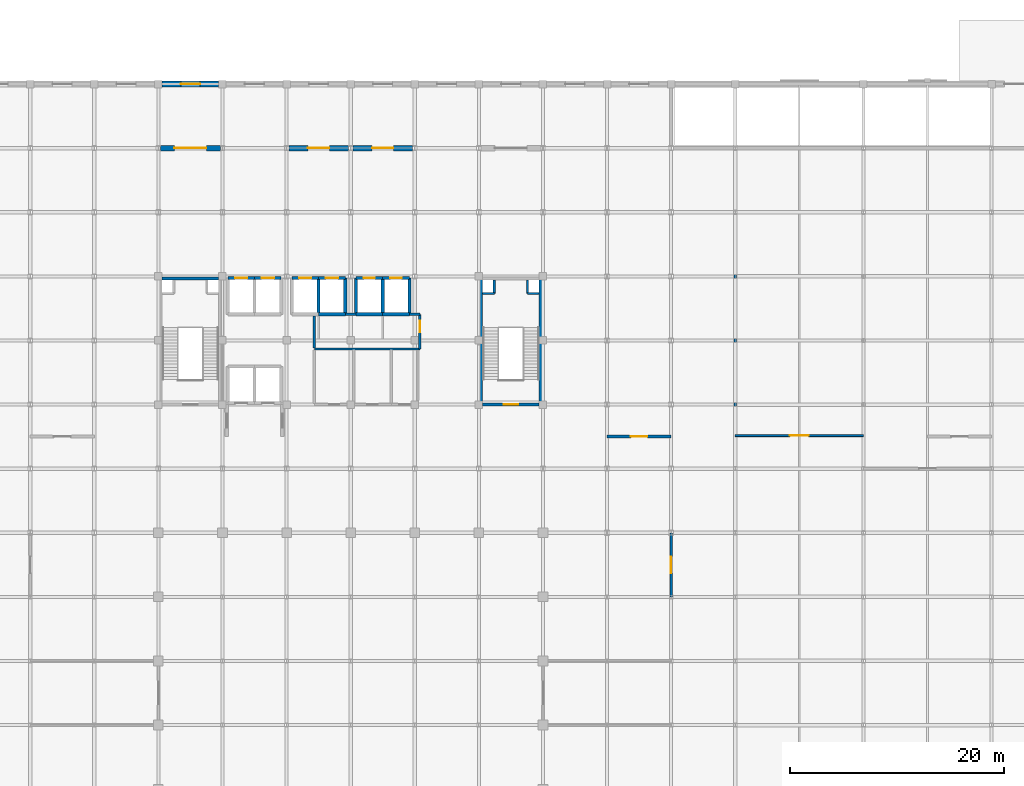
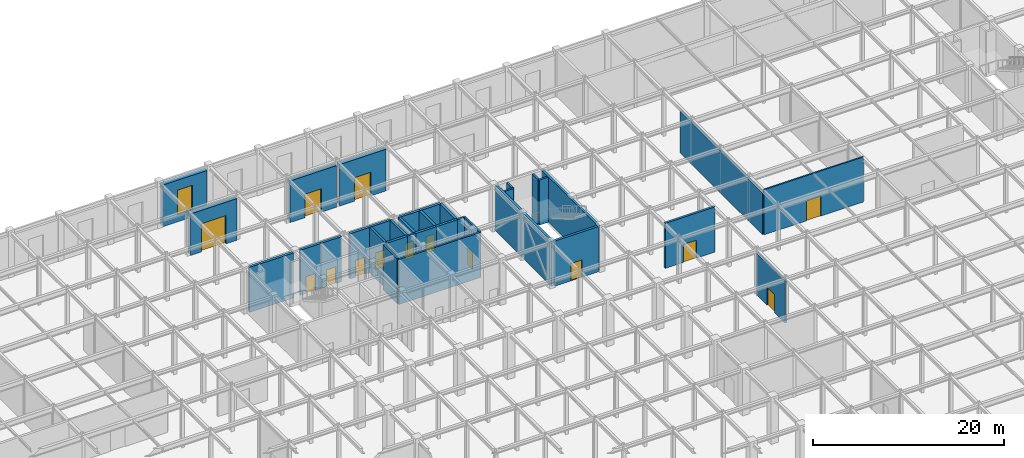
# One storey, part 45 of 51: 35 walls, 14 doors, 1 window, 15 openings.
"""IFC4 building model written with IfcOpenShell, lengths in metres."""

import ifcopenshell
import ifcopenshell.guid

model = None  # the IFC model being written
_history = None  # IfcOwnerHistory: only IFC2X3 demands one
_inside = {}  # id of a spatial element -> (the spatial element, [elements in it])
_under = {}  # id of a project, library or spatial element -> (it, [spatial elements below it])
_declared = {}  # id of a project -> (the project, [libraries it declares])
_typed = {}  # id of a type object -> (the type object, [elements of that type])
_made_of = {}  # id of a material, layer set ... -> (it, [elements and type objects made of it])


def new_model(schema):
    """Start an empty IFC model of exactly this schema.

    Asked for "IFC4X3", IfcOpenShell would pick the latest addendum, in which some entities
    have other attributes; the version numbers below select the first issue.
    IFC2X3 requires an IfcOwnerHistory on every rooted entity: one is made here for all.
    """
    global model, _history
    if schema == "IFC4X3":
        model = ifcopenshell.file(schema_version=(4, 3, 0, 0))
    else:
        model = ifcopenshell.file(schema=schema)
    _inside.clear()
    _under.clear()
    _declared.clear()
    _typed.clear()
    _made_of.clear()
    _history = None
    if model.schema == "IFC2X3":
        org = make("IfcOrganization", Name="unknown")
        user = make(
            "IfcPersonAndOrganization",
            ThePerson=make("IfcPerson", FamilyName="unknown"),
            TheOrganization=org,
        )
        app = make(
            "IfcApplication",
            ApplicationDeveloper=org,
            Version="unknown",
            ApplicationFullName="unknown",
            ApplicationIdentifier="unknown",
        )
        _history = make(
            "IfcOwnerHistory",
            OwningUser=user,
            OwningApplication=app,
            ChangeAction="ADDED",
            CreationDate=0,
        )
    return model


def make(cls, **values):
    """One entity of the class cls with the attributes given. An attribute that is None is left unset."""
    return model.create_entity(
        cls, **{name: value for name, value in values.items() if value is not None}
    )


def rooted(cls, **values):
    """An entity with a GlobalId (a new one), such as an element, a storey or a relation."""
    return make(cls, GlobalId=ifcopenshell.guid.new(), OwnerHistory=_history, **values)


def si_unit(unit_type, name, prefix=None):
    """IfcSIUnit, for example si_unit("LENGTHUNIT", "METRE", prefix="MILLI")."""
    return make("IfcSIUnit", UnitType=unit_type, Prefix=prefix, Name=name)


def assignment(units):
    """IfcUnitAssignment: the units of a project."""
    return None if units is None else make("IfcUnitAssignment", Units=units)


def point(xyz):
    """IfcCartesianPoint."""
    return None if xyz is None else make("IfcCartesianPoint", Coordinates=xyz)


def direction(xyz):
    """IfcDirection."""
    return None if xyz is None else make("IfcDirection", DirectionRatios=xyz)


def frame(location, z_axis=None, x_axis=None):
    """IfcAxis2Placement3D, a coordinate frame: its origin and axes. An axis left out is left unset."""
    return make(
        "IfcAxis2Placement3D",
        Location=point(location),
        Axis=direction(z_axis),
        RefDirection=direction(x_axis),
    )


def frame_2d(location, x_axis=None):
    """IfcAxis2Placement2D, a coordinate frame in the plane: its origin and x axis."""
    return make(
        "IfcAxis2Placement2D", Location=point(location), RefDirection=direction(x_axis)
    )


def origin():
    """The frame at (0, 0, 0) with its axes left unset."""
    return frame((0.0, 0.0, 0.0))


def place(relative_to, where):
    """IfcLocalPlacement: puts the frame where relative to a parent placement (None: the world)."""
    return make(
        "IfcLocalPlacement", PlacementRelTo=relative_to, RelativePlacement=where
    )


def context(
    kind, dimensions, precision=None, world=None, true_north=None, identifier=None
):
    """IfcGeometricRepresentationContext, for example the 3D "Model" context."""
    return make(
        "IfcGeometricRepresentationContext",
        ContextIdentifier=identifier,
        ContextType=kind,
        CoordinateSpaceDimension=dimensions,
        Precision=precision,
        WorldCoordinateSystem=world,
        TrueNorth=true_north,
    )


def subcontext(parent, identifier, kind, view, scale=None):
    """IfcGeometricRepresentationSubContext, for example "Body" below "Model"."""
    return make(
        "IfcGeometricRepresentationSubContext",
        ContextIdentifier=identifier,
        ContextType=kind,
        ParentContext=parent,
        TargetScale=scale,
        TargetView=view,
    )


def project(units=None, contexts=None):
    """IfcProject with its units and contexts."""
    return rooted(
        "IfcProject",
        Name="project",
        RepresentationContexts=contexts,
        UnitsInContext=assignment(units),
    )


def spatial(cls, under=None, at=None, **own):
    """A site, building, storey or space (cls), placed at a placement, below another one or the project."""
    s = rooted(cls, ObjectPlacement=at, **own)
    if under is not None:
        _under.setdefault(under.id(), (under, []))[1].append(s)
    return s


def profile(cls, at=None, kind="AREA", **sizes):
    """A parametric profile (cls). Its sizes go by their IFC names, for example OverallWidth=200.0."""
    return make(cls, ProfileType=kind, Position=at, **sizes)


def rectangle(**sizes):
    """IfcRectangleProfileDef."""
    return profile("IfcRectangleProfileDef", **sizes)


def extrude(swept, where, along, depth):
    """IfcExtrudedAreaSolid: the profile swept, set in the frame where, extruded along a direction by depth."""
    return make(
        "IfcExtrudedAreaSolid",
        SweptArea=swept,
        Position=where,
        ExtrudedDirection=direction(along),
        Depth=depth,
    )


def shape(context_of_items, identifier, shape_type, items):
    """IfcShapeRepresentation: the items that make up one representation, for example the "Body"."""
    return make(
        "IfcShapeRepresentation",
        ContextOfItems=context_of_items,
        RepresentationIdentifier=identifier,
        RepresentationType=shape_type,
        Items=items,
    )


def material(Name=None, Category=None):
    """IfcMaterial."""
    return make("IfcMaterial", Name=Name, Category=Category)


def layer(
    of_material, thickness, ventilated=None, Name=None, Category=None, Priority=None
):
    """IfcMaterialLayer: one layer of a wall or slab, of a material (None: an air gap)."""
    return make(
        "IfcMaterialLayer",
        Material=of_material,
        LayerThickness=thickness,
        IsVentilated=ventilated,
        Name=Name,
        Category=Category,
        Priority=Priority,
    )


def layer_set(layers, Name=None):
    """IfcMaterialLayerSet."""
    return make("IfcMaterialLayerSet", MaterialLayers=layers, LayerSetName=Name)


def made_of(thing, what):
    """Note that an element or type object is made of a material, layer set ...; save() writes the relation."""
    if what is not None:
        _made_of.setdefault(what.id(), (what, []))[1].append(thing)
    return thing


def type_object(cls, material=None, **own):
    """A type object (cls), such as IfcWallType, which elements share."""
    return made_of(rooted(cls, **own), material)


def element(
    cls,
    number,
    at=None,
    inside=None,
    cuts=None,
    type_object=None,
    material=None,
    context=None,
    identifier="Body",
    shape_type=None,
    held_by="IfcProductDefinitionShape",
    body=None,
    shapes=None,
    **own,
):
    """One element of the class cls, such as IfcWall. Its Tag is "e" and its number.

    at: its placement. inside: the storey or other place that contains it. cuts: it is an
    opening in that element (IfcRelVoidsElement). A single representation is given by context,
    identifier, shape_type and body (its items); several are given by shapes. held_by: the class
    of the entity that holds the representations. save() writes the other relations.
    """
    e = rooted(cls, Tag="e%d" % number, ObjectPlacement=at, **own)
    if body is not None:
        shapes = [shape(context, identifier, shape_type, body)]
    if shapes is not None:
        e.Representation = make(held_by, Representations=shapes)
    if inside is not None:
        _inside.setdefault(inside.id(), (inside, []))[1].append(e)
    if cuts is not None:
        rooted(
            "IfcRelVoidsElement", RelatingBuildingElement=cuts, RelatedOpeningElement=e
        )
    if type_object is not None:
        _typed.setdefault(type_object.id(), (type_object, []))[1].append(e)
    return made_of(e, material)


def fill(opening, filler):
    """IfcRelFillsElement: the door or window that sits in an opening."""
    return rooted(
        "IfcRelFillsElement",
        RelatingOpeningElement=opening,
        RelatedBuildingElement=filler,
    )


def aggregate(whole, parts):
    """IfcRelAggregates: a whole, such as a stair, and the parts it consists of."""
    return rooted("IfcRelAggregates", RelatingObject=whole, RelatedObjects=parts)


def save(model, path):
    """Write the relations noted so far, then the file.

    IfcRelAggregates (storeys below a building ...), IfcRelContainedInSpatialStructure (elements
    in a storey), IfcRelDefinesByType, IfcRelAssociatesMaterial and IfcRelDeclares: one each for
    every whole, place, type object, material and project.
    """
    for whole, parts in _under.values():
        aggregate(whole, parts)
    for where, things in _inside.values():
        rooted(
            "IfcRelContainedInSpatialStructure",
            RelatedElements=things,
            RelatingStructure=where,
        )
    for kind, things in _typed.values():
        rooted("IfcRelDefinesByType", RelatedObjects=things, RelatingType=kind)
    for what, things in _made_of.values():
        rooted("IfcRelAssociatesMaterial", RelatedObjects=things, RelatingMaterial=what)
    for by, libraries in _declared.values():
        rooted("IfcRelDeclares", RelatingContext=by, RelatedDefinitions=libraries)
    model.write(path)


model = new_model("IFC4")

# Units and contexts
model_context = context("Model", 3, precision=1e-05, world=origin(), true_north=direction((0.0, 1.0)))
body_context = subcontext(model_context, "Body", "Model", "MODEL_VIEW")
ifc_project = project(units=[si_unit("LENGTHUNIT", "METRE"), si_unit("AREAUNIT", "SQUARE_METRE"), si_unit("VOLUMEUNIT", "CUBIC_METRE"), si_unit("PLANEANGLEUNIT", "RADIAN"), si_unit("MASSUNIT", "GRAM", prefix="KILO")], contexts=[model_context])

# Site, building, storey
site_placement = place(None, origin())
site = spatial("IfcSite", under=ifc_project, at=site_placement, CompositionType="ELEMENT")
building_placement = place(site_placement, origin())
building = spatial("IfcBuilding", under=site, at=building_placement, Name="Zlatovratsky Civic Hall", CompositionType="ELEMENT")
storey_placement = place(building_placement, origin())
storey = spatial("IfcBuildingStorey", under=building, at=storey_placement, Name="L01", CompositionType="ELEMENT", Elevation=0.0)

# Wall, opening, door
ifc_material_1 = material(Name="Acoustic ceramic blockwork", Category="masonry")
ifc_layer_1 = layer(ifc_material_1, 0.179931640625)
ifc_layer_set_1 = layer_set([ifc_layer_1], Name="Acoustic ceramic blockwork")
wall_type_1 = type_object("IfcWallType", Name="Wall_AcousticChamberPartition_180", PredefinedType="PARTITIONING", material=ifc_layer_set_1)
wall_1_placement = place(storey_placement, frame((120.0, 81.10009765625, 0.0), z_axis=(0.0, 0.0, 1.0), x_axis=(1.0, 0.0, 0.0)))
wall_1 = element("IfcWall", 1, at=wall_1_placement, inside=storey, type_object=wall_type_1, Name="WL-6072", PredefinedType="PARTITIONING", context=body_context, shape_type="SweptSolid", body=[
    extrude(rectangle(XDim=12.0, YDim=0.179931640625, at=frame_2d((6.0, 0.0))), origin(), (0.0, 0.0, 1.0), 5.760009765625),
])
opening_1_placement = place(wall_1_placement, frame((5.125, 0.0, 0.0)))
opening_1 = element("IfcOpeningElement", 2, at=opening_1_placement, cuts=wall_1, Name="Opening D-13", PredefinedType="OPENING", context=body_context, shape_type="SweptSolid", body=[
    extrude(rectangle(XDim=1.75, YDim=2.550048828125, at=frame_2d((0.875, 1.27490234375))), frame((0.0, 0.10498046875, 0.0), z_axis=(0.0, -1.0, 0.0), x_axis=(1.0, 0.0, 0.0)), (0.0, 0.0, 1.0), 0.209716796875),
])
ifc_material_2 = material(Name="Solid oak joinery in steel frame", Category="steel")
door_type_1 = type_object("IfcDoorType", Name="Door_CommitteeSuiteDouble_1750x2550", OperationType="DOUBLE_DOOR_SINGLE_SWING", PredefinedType="DOOR", material=ifc_material_2)
door_1_placement = place(opening_1_placement, origin())
door_1 = element("IfcDoor", 3, at=door_1_placement, inside=storey, type_object=door_type_1, Name="DR-5233", OperationType="DOUBLE_DOOR_SINGLE_SWING", OverallHeight=2.550048828125, OverallWidth=1.75, PredefinedType="DOOR", context=body_context, shape_type="SweptSolid", body=[
    extrude(rectangle(XDim=1.75, YDim=2.550048828125, at=frame_2d((0.875, 1.27490234375))), frame((0.0, 0.02490234375, 0.0), z_axis=(0.0, -1.0, 0.0), x_axis=(1.0, 0.0, 0.0)), (0.0, 0.0, 1.0), 0.050048828125),
])
fill(opening_1, door_1)

ifc_layer_2 = layer(ifc_material_1, 0.260009765625)
ifc_layer_set_2 = layer_set([ifc_layer_2], Name="Acoustic ceramic blockwork")
wall_type_2 = type_object("IfcWallType", Name="Wall_ArchiveCompartment_260", PredefinedType="PARTITIONING", material=ifc_layer_set_2)
wall_2_placement = place(storey_placement, frame((108.0, 81.0, 0.0), z_axis=(0.0, 0.0, 1.0), x_axis=(1.0, 0.0, 0.0)))
wall_2 = element("IfcWall", 4, at=wall_2_placement, inside=storey, type_object=wall_type_2, Name="WL-6080", PredefinedType="PARTITIONING", context=body_context, shape_type="SweptSolid", body=[
    extrude(rectangle(XDim=6.0, YDim=0.260009765625, at=frame_2d((3.0, 0.0))), origin(), (0.0, 0.0, 1.0), 5.760009765625),
])
opening_2_placement = place(wall_2_placement, frame((2.22509765625, 0.0, 0.0)))
opening_2 = element("IfcOpeningElement", 5, at=opening_2_placement, cuts=wall_2, Name="Opening D-15", PredefinedType="OPENING", context=body_context, shape_type="SweptSolid", body=[
    extrude(rectangle(XDim=1.550048828125, YDim=2.300048828125, at=frame_2d((0.77490234375, 1.14990234375))), frame((0.0, 0.14501953125, 0.0), z_axis=(0.0, -1.0, 0.0), x_axis=(1.0, 0.0, 0.0)), (0.0, 0.0, 1.0), 0.289794921875),
])
ifc_material_3 = material(Name="Insulated painted fire-rated steel leaf", Category="steel")
door_type_2 = type_object("IfcDoorType", Name="Door_CompactArchiveFire_1550x2300", OperationType="DOUBLE_DOOR_SINGLE_SWING", PredefinedType="DOOR", material=ifc_material_3)
door_2_placement = place(opening_2_placement, origin())
door_2 = element("IfcDoor", 6, at=door_2_placement, inside=storey, type_object=door_type_2, Name="DR-5241", OperationType="DOUBLE_DOOR_SINGLE_SWING", OverallHeight=2.300048828125, OverallWidth=1.550048828125, PredefinedType="DOOR", context=body_context, shape_type="SweptSolid", body=[
    extrude(rectangle(XDim=1.550048828125, YDim=2.300048828125, at=frame_2d((0.77490234375, 1.14990234375))), frame((0.0, 0.02490234375, 0.0), z_axis=(0.0, -1.0, 0.0), x_axis=(1.0, 0.0, 0.0)), (0.0, 0.0, 1.0), 0.050048828125),
])
fill(opening_2, door_2)

wall_3_placement = place(storey_placement, frame((114.0, 66.0, 0.0), z_axis=(0.0, 0.0, 1.0), x_axis=(0.0, 1.0, 0.0)))
wall_3 = element("IfcWall", 7, at=wall_3_placement, inside=storey, type_object=wall_type_2, Name="WL-6085", PredefinedType="PARTITIONING", context=body_context, shape_type="SweptSolid", body=[
    extrude(rectangle(XDim=6.0, YDim=0.260009765625, at=frame_2d((3.0, 0.0))), origin(), (0.0, 0.0, 1.0), 5.320068359375),
])
opening_3_placement = place(wall_3_placement, frame((2.22509765625, 0.0, 0.0)))
opening_3 = element("IfcOpeningElement", 8, at=opening_3_placement, cuts=wall_3, Name="Opening D-15", PredefinedType="OPENING", context=body_context, shape_type="SweptSolid", body=[
    extrude(rectangle(XDim=1.550048828125, YDim=2.300048828125, at=frame_2d((0.77490234375, 1.14990234375))), frame((0.0, 0.14501953125, 0.0), z_axis=(0.0, -1.0, 0.0), x_axis=(1.0, 0.0, 0.0)), (0.0, 0.0, 1.0), 0.289794921875),
])
door_3_placement = place(opening_3_placement, origin())
door_3 = element("IfcDoor", 9, at=door_3_placement, inside=storey, type_object=door_type_2, Name="DR-5246", OperationType="DOUBLE_DOOR_SINGLE_SWING", OverallHeight=2.300048828125, OverallWidth=1.550048828125, PredefinedType="DOOR", context=body_context, shape_type="SweptSolid", body=[
    extrude(rectangle(XDim=1.550048828125, YDim=2.300048828125, at=frame_2d((0.77490234375, 1.14990234375))), frame((0.0, 0.02490234375, 0.0), z_axis=(0.0, -1.0, 0.0), x_axis=(1.0, 0.0, 0.0)), (0.0, 0.0, 1.0), 0.050048828125),
])
fill(opening_3, door_3)

# Wall
wall_4_placement = place(storey_placement, frame((120.0, 81.14990234375, 0.0), z_axis=(0.0, 0.0, 1.0), x_axis=(0.0, 1.0, 0.0)))
element("IfcWall", 10, at=wall_4_placement, inside=storey, type_object=wall_type_2, Name="WL-6093", PredefinedType="PARTITIONING", context=body_context, shape_type="SweptSolid", body=[
    extrude(rectangle(XDim=17.2001953125, YDim=0.260009765625, at=frame_2d((8.60009765625, 0.0))), origin(), (0.0, 0.0, 1.0), 5.320068359375),
])

# Wall, opening, window
ifc_layer_3 = layer(ifc_material_1, 0.39990234375, Name="Backing")
ifc_material_4 = material(Name="Polished Karelian granite ashlar", Category="masonry")
ifc_layer_4 = layer(ifc_material_4, 0.139892578125, Name="Finish")
ifc_layer_set_3 = layer_set([ifc_layer_3, ifc_layer_4], Name="Acoustic ceramic blockwork")
wall_type_3 = type_object("IfcWallType", Name="Wall_PodiumGraniteArcade_540", PredefinedType="SOLIDWALL", material=ifc_layer_set_3)
wall_5_placement = place(storey_placement, frame((66.35009765625, 114.0, 0.0), z_axis=(0.0, 0.0, 1.0), x_axis=(1.0, 0.0, 0.0)))
wall_5 = element("IfcWall", 11, at=wall_5_placement, inside=storey, type_object=wall_type_3, Name="WL-0112", PredefinedType="SOLIDWALL", context=body_context, shape_type="SweptSolid", body=[
    extrude(rectangle(XDim=5.2998046875, YDim=0.5400390625, at=frame_2d((2.64990234375, 0.0))), origin(), (0.0, 0.0, 1.0), 5.31005859375),
])
opening_4_placement = place(wall_5_placement, frame((1.75, 0.0, 0.85009765625)))
opening_4 = element("IfcOpeningElement", 12, at=opening_4_placement, cuts=wall_5, Name="Opening WN-03", PredefinedType="OPENING", context=body_context, shape_type="SweptSolid", body=[
    extrude(rectangle(XDim=1.800048828125, YDim=3.199951171875, at=frame_2d((0.89990234375, 1.60009765625))), frame((0.0, 0.284912109375, 0.0), z_axis=(0.0, -1.0, 0.0), x_axis=(1.0, 0.0, 0.0)), (0.0, 0.0, 1.0), 0.56982421875),
])
ifc_material_5 = material(Name="Low-E laminated double glazing", Category="glass")
window_type = type_object("IfcWindowType", Name="Window_GroundNorthArcade_1800x3200", PartitioningType="SINGLE_PANEL", PredefinedType="WINDOW", material=ifc_material_5)
window_placement = place(opening_4_placement, origin())
window = element("IfcWindow", 13, at=window_placement, inside=storey, type_object=window_type, Name="WN-0029", OverallHeight=3.199951171875, OverallWidth=1.800048828125, PartitioningType="SINGLE_PANEL", PredefinedType="WINDOW", context=body_context, shape_type="SweptSolid", body=[
    extrude(rectangle(XDim=1.800048828125, YDim=3.199951171875, at=frame_2d((0.89990234375, 1.60009765625))), frame((0.0, 0.030029296875, 0.0), z_axis=(0.0, -1.0, 0.0), x_axis=(1.0, 0.0, 0.0)), (0.0, 0.0, 1.0), 0.06005859375),
])
fill(opening_4, window)

# Wall, opening, door
wall_6_placement = place(storey_placement, frame((66.20458984375, 108.0, 0.0), z_axis=(0.0, 0.0, 1.0), x_axis=(1.0, 0.0, 0.0)))
wall_6 = element("IfcWall", 14, at=wall_6_placement, inside=storey, type_object=wall_type_3, Name="WL-0126", PredefinedType="SOLIDWALL", context=body_context, shape_type="SweptSolid", body=[
    extrude(rectangle(XDim=5.5908203125, YDim=0.5400390625, at=frame_2d((2.79541015625, 0.0))), origin(), (0.0, 0.0, 1.0), 5.31005859375),
])
opening_5_placement = place(wall_6_placement, frame((1.2958984375, 0.0, 0.0)))
opening_5 = element("IfcOpeningElement", 15, at=opening_5_placement, cuts=wall_6, Name="Opening D-01", PredefinedType="OPENING", context=body_context, shape_type="SweptSolid", body=[
    extrude(rectangle(XDim=3.0, YDim=3.60009765625, at=frame_2d((1.5, 1.800048828125))), frame((0.0, 0.284912109375, 0.0), z_axis=(0.0, -1.0, 0.0), x_axis=(1.0, 0.0, 0.0)), (0.0, 0.0, 1.0), 0.56982421875),
])
ifc_material_6 = material(Name="Monumental cast bronze glazed portal", Category="aluminium")
door_type_3 = type_object("IfcDoorType", Name="Door_MainPortalBronze_3000x3600", OperationType="DOUBLE_DOOR_SINGLE_SWING", PredefinedType="DOOR", material=ifc_material_6)
door_4_placement = place(opening_5_placement, origin())
door_4 = element("IfcDoor", 16, at=door_4_placement, inside=storey, type_object=door_type_3, Name="DR-0015", OperationType="DOUBLE_DOOR_SINGLE_SWING", OverallHeight=3.60009765625, OverallWidth=3.0, PredefinedType="DOOR", context=body_context, shape_type="SweptSolid", body=[
    extrude(rectangle(XDim=3.0, YDim=3.60009765625, at=frame_2d((1.5, 1.800048828125))), frame((0.0, 0.02490234375, 0.0), z_axis=(0.0, -1.0, 0.0), x_axis=(1.0, 0.0, 0.0)), (0.0, 0.0, 1.0), 0.050048828125),
])
fill(opening_5, door_4)

wall_7_placement = place(storey_placement, frame((78.20458984375, 108.0, 0.0), z_axis=(0.0, 0.0, 1.0), x_axis=(1.0, 0.0, 0.0)))
wall_7 = element("IfcWall", 17, at=wall_7_placement, inside=storey, type_object=wall_type_3, Name="WL-0127", PredefinedType="SOLIDWALL", context=body_context, shape_type="SweptSolid", body=[
    extrude(rectangle(XDim=5.5908203125, YDim=0.5400390625, at=frame_2d((2.79541015625, 0.0))), origin(), (0.0, 0.0, 1.0), 5.31005859375),
])
opening_6_placement = place(wall_7_placement, frame((1.7958984375, 0.0, 0.0)))
opening_6 = element("IfcOpeningElement", 18, at=opening_6_placement, cuts=wall_7, Name="Opening D-04", PredefinedType="OPENING", context=body_context, shape_type="SweptSolid", body=[
    extrude(rectangle(XDim=2.0, YDim=3.0, at=frame_2d((1.0, 1.5))), frame((0.0, 0.284912109375, 0.0), z_axis=(0.0, -1.0, 0.0), x_axis=(1.0, 0.0, 0.0)), (0.0, 0.0, 1.0), 0.56982421875),
])
door_type_4 = type_object("IfcDoorType", Name="Door_NorthBoulevardEntry_2000x3000", OperationType="DOUBLE_DOOR_SINGLE_SWING", PredefinedType="DOOR", material=ifc_material_6)
door_5_placement = place(opening_6_placement, origin())
door_5 = element("IfcDoor", 19, at=door_5_placement, inside=storey, type_object=door_type_4, Name="DR-0016", OperationType="DOUBLE_DOOR_SINGLE_SWING", OverallHeight=3.0, OverallWidth=2.0, PredefinedType="DOOR", context=body_context, shape_type="SweptSolid", body=[
    extrude(rectangle(XDim=2.0, YDim=3.0, at=frame_2d((1.0, 1.5))), frame((0.0, 0.02490234375, 0.0), z_axis=(0.0, -1.0, 0.0), x_axis=(1.0, 0.0, 0.0)), (0.0, 0.0, 1.0), 0.050048828125),
])
fill(opening_6, door_5)

wall_8_placement = place(storey_placement, frame((84.20458984375, 108.0, 0.0), z_axis=(0.0, 0.0, 1.0), x_axis=(1.0, 0.0, 0.0)))
wall_8 = element("IfcWall", 20, at=wall_8_placement, inside=storey, type_object=wall_type_3, Name="WL-0128", PredefinedType="SOLIDWALL", context=body_context, shape_type="SweptSolid", body=[
    extrude(rectangle(XDim=5.5908203125, YDim=0.5400390625, at=frame_2d((2.79541015625, 0.0))), origin(), (0.0, 0.0, 1.0), 5.31005859375),
])
opening_7_placement = place(wall_8_placement, frame((1.7958984375, 0.0, 0.0)))
opening_7 = element("IfcOpeningElement", 21, at=opening_7_placement, cuts=wall_8, Name="Opening D-04", PredefinedType="OPENING", context=body_context, shape_type="SweptSolid", body=[
    extrude(rectangle(XDim=2.0, YDim=3.0, at=frame_2d((1.0, 1.5))), frame((0.0, 0.284912109375, 0.0), z_axis=(0.0, -1.0, 0.0), x_axis=(1.0, 0.0, 0.0)), (0.0, 0.0, 1.0), 0.56982421875),
])
door_6_placement = place(opening_7_placement, origin())
door_6 = element("IfcDoor", 22, at=door_6_placement, inside=storey, type_object=door_type_4, Name="DR-0017", OperationType="DOUBLE_DOOR_SINGLE_SWING", OverallHeight=3.0, OverallWidth=2.0, PredefinedType="DOOR", context=body_context, shape_type="SweptSolid", body=[
    extrude(rectangle(XDim=2.0, YDim=3.0, at=frame_2d((1.0, 1.5))), frame((0.0, 0.02490234375, 0.0), z_axis=(0.0, -1.0, 0.0), x_axis=(1.0, 0.0, 0.0)), (0.0, 0.0, 1.0), 0.050048828125),
])
fill(opening_7, door_6)

# Walls
ifc_layer_5 = layer(ifc_material_1, 0.219970703125)
ifc_layer_set_4 = layer_set([ifc_layer_5], Name="Acoustic ceramic blockwork")
wall_type_4 = type_object("IfcWallType", Name="Wall_SanitaryWetCore_220", PredefinedType="PARTITIONING", material=ifc_layer_set_4)
wall_9_placement = place(storey_placement, frame((97.449951171875, 94.39990234375, 0.0), z_axis=(0.0, 0.0, 1.0), x_axis=(0.0, 1.0, 0.0)))
element("IfcWall", 23, at=wall_9_placement, inside=storey, type_object=wall_type_4, Name="WL-5171", PredefinedType="PARTITIONING", context=body_context, shape_type="SweptSolid", body=[
    extrude(rectangle(XDim=1.25, YDim=0.219970703125, at=frame_2d((0.625, 0.0))), origin(), (0.0, 0.0, 1.0), 5.760009765625),
])
wall_10_placement = place(storey_placement, frame((96.35009765625, 94.39990234375, 0.0), z_axis=(0.0, 0.0, 1.0), x_axis=(1.0, 0.0, 0.0)))
element("IfcWall", 24, at=wall_10_placement, inside=storey, type_object=wall_type_4, Name="WL-5172", PredefinedType="PARTITIONING", context=body_context, shape_type="SweptSolid", body=[
    extrude(rectangle(XDim=1.099853515625, YDim=0.219970703125, at=frame_2d((0.5498046875, 0.0))), origin(), (0.0, 0.0, 1.0), 5.760009765625),
])
wall_11_placement = place(storey_placement, frame((100.550048828125, 94.39990234375, 0.0), z_axis=(0.0, 0.0, 1.0), x_axis=(0.0, 1.0, 0.0)))
element("IfcWall", 25, at=wall_11_placement, inside=storey, type_object=wall_type_4, Name="WL-5173", PredefinedType="PARTITIONING", context=body_context, shape_type="SweptSolid", body=[
    extrude(rectangle(XDim=1.25, YDim=0.219970703125, at=frame_2d((0.625, 0.0))), origin(), (0.0, 0.0, 1.0), 5.760009765625),
])
wall_12_placement = place(storey_placement, frame((100.550048828125, 94.39990234375, 0.0), z_axis=(0.0, 0.0, 1.0), x_axis=(1.0, 0.0, 0.0)))
element("IfcWall", 26, at=wall_12_placement, inside=storey, type_object=wall_type_4, Name="WL-5174", PredefinedType="PARTITIONING", context=body_context, shape_type="SweptSolid", body=[
    extrude(rectangle(XDim=1.099853515625, YDim=0.219970703125, at=frame_2d((0.5498046875, 0.0))), origin(), (0.0, 0.0, 1.0), 5.760009765625),
])
wall_13_placement = place(storey_placement, frame((80.60009765625, 89.199951171875, 0.0), z_axis=(0.0, 0.0, 1.0), x_axis=(1.0, 0.0, 0.0)))
element("IfcWall", 27, at=wall_13_placement, inside=storey, type_object=wall_type_4, Name="WL-6063", PredefinedType="PARTITIONING", context=body_context, shape_type="SweptSolid", body=[
    extrude(rectangle(XDim=9.869873046875, YDim=0.219970703125, at=frame_2d((4.93505859375, 0.0))), origin(), (0.0, 0.0, 1.0), 5.760009765625),
])

# Wall, opening, door
wall_14_placement = place(storey_placement, frame((90.469970703125, 89.199951171875, 0.0), z_axis=(0.0, 0.0, 1.0), x_axis=(0.0, 1.0, 0.0)))
wall_14 = element("IfcWall", 28, at=wall_14_placement, inside=storey, type_object=wall_type_4, Name="WL-6064", PredefinedType="PARTITIONING", context=body_context, shape_type="SweptSolid", body=[
    extrude(rectangle(XDim=3.25, YDim=0.219970703125, at=frame_2d((1.625, 0.0))), origin(), (0.0, 0.0, 1.0), 5.760009765625),
])
opening_8_placement = place(wall_14_placement, frame((1.550048828125, 0.0, 0.0)))
opening_8 = element("IfcOpeningElement", 29, at=opening_8_placement, cuts=wall_14, Name="Opening D-30", PredefinedType="OPENING", context=body_context, shape_type="SweptSolid", body=[
    extrude(rectangle(XDim=1.10009765625, YDim=2.14990234375, at=frame_2d((0.550048828125, 1.074951171875))), frame((0.0, 0.125, 0.0), z_axis=(0.0, -1.0, 0.0), x_axis=(1.0, 0.0, 0.0)), (0.0, 0.0, 1.0), 0.249755859375),
])
door_type_5 = type_object("IfcDoorType", Name="Door_ElectricalRoom_1100x2150", OperationType="NOTDEFINED", PredefinedType="DOOR", material=ifc_material_3)
door_7_placement = place(opening_8_placement, origin())
door_7 = element("IfcDoor", 30, at=door_7_placement, inside=storey, type_object=door_type_5, Name="DR-5225", OperationType="SINGLE_SWING_RIGHT", OverallHeight=2.14990234375, OverallWidth=1.10009765625, PredefinedType="DOOR", context=body_context, shape_type="SweptSolid", body=[
    extrude(rectangle(XDim=1.10009765625, YDim=2.14990234375, at=frame_2d((0.550048828125, 1.074951171875))), frame((0.0, 0.02490234375, 0.0), z_axis=(0.0, -1.0, 0.0), x_axis=(1.0, 0.0, 0.0)), (0.0, 0.0, 1.0), 0.050048828125),
])
fill(opening_8, door_7)

# Walls
wall_15_placement = place(storey_placement, frame((80.60009765625, 89.31005859375, 0.0), z_axis=(0.0, 0.0, 1.0), x_axis=(0.0, 1.0, 0.0)))
element("IfcWall", 31, at=wall_15_placement, inside=storey, type_object=wall_type_4, Name="WL-6105", PredefinedType="PARTITIONING", context=body_context, shape_type="SweptSolid", body=[
    extrude(rectangle(XDim=2.989990234375, YDim=0.219970703125, at=frame_2d((1.4951171875, 0.0))), origin(), (0.0, 0.0, 1.0), 5.760009765625),
])
wall_16_placement = place(storey_placement, frame((83.5, 92.449951171875, 0.0), z_axis=(0.0, 0.0, 1.0), x_axis=(1.0, 0.0, 0.0)))
element("IfcWall", 32, at=wall_16_placement, inside=storey, type_object=wall_type_4, Name="WL-6106", PredefinedType="PARTITIONING", context=body_context, shape_type="SweptSolid", body=[
    extrude(rectangle(XDim=1.0, YDim=0.219970703125, at=frame_2d((0.5, 0.0))), origin(), (0.0, 0.0, 1.0), 5.760009765625),
])
wall_17_placement = place(storey_placement, frame((89.5, 92.449951171875, 0.0), z_axis=(0.0, 0.0, 1.0), x_axis=(1.0, 0.0, 0.0)))
element("IfcWall", 33, at=wall_17_placement, inside=storey, type_object=wall_type_4, Name="WL-6107", PredefinedType="PARTITIONING", context=body_context, shape_type="SweptSolid", body=[
    extrude(rectangle(XDim=0.969970703125, YDim=0.219970703125, at=frame_2d((0.48486328125, 0.0))), origin(), (0.0, 0.0, 1.0), 5.760009765625),
])
ifc_material_7 = material(Name="Concrete C35/45 (B40)", Category="concrete")
ifc_layer_6 = layer(ifc_material_7, 0.300048828125)
ifc_layer_set_5 = layer_set([ifc_layer_6], Name="Concrete C35/45 (B40)")
wall_type_5 = type_object("IfcWallType", Name="Wall_StairAndLiftShaft_300", PredefinedType="SHEAR", material=ifc_layer_set_5)
wall_18_placement = place(storey_placement, frame((66.35009765625, 95.800048828125, 0.0), z_axis=(0.0, 0.0, 1.0), x_axis=(1.0, 0.0, 0.0)))
element("IfcWall", 34, at=wall_18_placement, inside=storey, type_object=wall_type_5, Name="WL-5010", PredefinedType="SHEAR", context=body_context, shape_type="SweptSolid", body=[
    extrude(rectangle(XDim=5.2998046875, YDim=0.300048828125, at=frame_2d((2.64990234375, 0.0))), origin(), (0.0, 0.0, 1.0), 5.760009765625),
])

# Wall, opening, door
wall_19_placement = place(storey_placement, frame((96.35009765625, 84.0, 0.0), z_axis=(0.0, 0.0, 1.0), x_axis=(1.0, 0.0, 0.0)))
wall_19 = element("IfcWall", 35, at=wall_19_placement, inside=storey, type_object=wall_type_5, Name="WL-5167", PredefinedType="SHEAR", context=body_context, shape_type="SweptSolid", body=[
    extrude(rectangle(XDim=5.2998046875, YDim=0.300048828125, at=frame_2d((2.64990234375, 0.0))), origin(), (0.0, 0.0, 1.0), 5.760009765625),
])
opening_9_placement = place(wall_19_placement, frame((1.97509765625, 0.0, 0.0)))
opening_9 = element("IfcOpeningElement", 36, at=opening_9_placement, cuts=wall_19, Name="Opening D-17", PredefinedType="OPENING", context=body_context, shape_type="SweptSolid", body=[
    extrude(rectangle(XDim=1.35009765625, YDim=2.199951171875, at=frame_2d((0.675048828125, 1.10009765625))), frame((0.0, 0.1650390625, 0.0), z_axis=(0.0, -1.0, 0.0), x_axis=(1.0, 0.0, 0.0)), (0.0, 0.0, 1.0), 0.329833984375),
])
door_type_6 = type_object("IfcDoorType", Name="Door_StairwellFireTower_1350x2200", OperationType="NOTDEFINED", PredefinedType="DOOR", material=ifc_material_3)
door_8_placement = place(opening_9_placement, origin())
door_8 = element("IfcDoor", 37, at=door_8_placement, inside=storey, type_object=door_type_6, Name="DR-5021", OperationType="SINGLE_SWING_LEFT", OverallHeight=2.199951171875, OverallWidth=1.35009765625, PredefinedType="DOOR", context=body_context, shape_type="SweptSolid", body=[
    extrude(rectangle(XDim=1.35009765625, YDim=2.199951171875, at=frame_2d((0.675048828125, 1.10009765625))), frame((0.0, 0.02490234375, 0.0), z_axis=(0.0, -1.0, 0.0), x_axis=(1.0, 0.0, 0.0)), (0.0, 0.0, 1.0), 0.050048828125),
])
fill(opening_9, door_8)

# Walls
for number, where, z_axis, x_axis, name in (
    (38, (96.199951171875, 84.0, 0.0), (0.0, 0.0, 1.0), (0.0, 1.0, 0.0), "WL-5169"),
    (39, (101.800048828125, 84.0, 0.0), (0.0, 0.0, 1.0), (0.0, 1.0, 0.0), "WL-5170"),
):
    element("IfcWall", number, at=place(storey_placement, frame(where, z_axis=z_axis, x_axis=x_axis)), inside=storey, type_object=wall_type_5, Name=name, PredefinedType="SHEAR", context=body_context, shape_type="SweptSolid", body=[
        extrude(rectangle(XDim=11.800048828125, YDim=0.300048828125, at=frame_2d((5.89990234375, 0.0))), origin(), (0.0, 0.0, 1.0), 5.760009765625),
    ])

# Wall, opening, door
wall_20_placement = place(storey_placement, frame((72.5, 95.85009765625, 0.0), z_axis=(0.0, 0.0, 1.0), x_axis=(1.0, 0.0, 0.0)))
wall_20 = element("IfcWall", 40, at=wall_20_placement, inside=storey, type_object=wall_type_5, Name="WL-5629", PredefinedType="SHEAR", context=body_context, shape_type="SweptSolid", body=[
    extrude(rectangle(XDim=2.5, YDim=0.300048828125, at=frame_2d((1.25, 0.0))), origin(), (0.0, 0.0, 1.0), 5.760009765625),
])
opening_10_placement = place(wall_20_placement, frame((0.675048828125, 0.0, 0.0)))
opening_10 = element("IfcOpeningElement", 41, at=opening_10_placement, cuts=wall_20, Name="Opening LD-02", PredefinedType="OPENING", context=body_context, shape_type="SweptSolid", body=[
    extrude(rectangle(XDim=1.14990234375, YDim=2.14990234375, at=frame_2d((0.574951171875, 1.074951171875))), frame((0.0, 0.1650390625, 0.0), z_axis=(0.0, -1.0, 0.0), x_axis=(1.0, 0.0, 0.0)), (0.0, 0.0, 1.0), 0.329833984375),
])
ifc_material_8 = material(Name="Brushed stainless steel AISI 304", Category="steel")
door_type_7 = type_object("IfcDoorType", Name="Door_LiftLandingHighRise_1150x2150", OperationType="DOUBLE_DOOR_SLIDING", PredefinedType="DOOR", material=ifc_material_8)
door_9_placement = place(opening_10_placement, origin())
door_9 = element("IfcDoor", 42, at=door_9_placement, inside=storey, type_object=door_type_7, Name="Lift landing door LD-5098", OperationType="DOUBLE_DOOR_SLIDING", OverallHeight=2.14990234375, OverallWidth=1.14990234375, PredefinedType="DOOR", context=body_context, shape_type="SweptSolid", body=[
    extrude(rectangle(XDim=1.14990234375, YDim=2.14990234375, at=frame_2d((0.574951171875, 1.074951171875))), frame((0.0, 0.02490234375, 0.0), z_axis=(0.0, -1.0, 0.0), x_axis=(1.0, 0.0, 0.0)), (0.0, 0.0, 1.0), 0.050048828125),
])
fill(opening_10, door_9)

wall_21_placement = place(storey_placement, frame((75.0, 95.85009765625, 0.0), z_axis=(0.0, 0.0, 1.0), x_axis=(1.0, 0.0, 0.0)))
wall_21 = element("IfcWall", 43, at=wall_21_placement, inside=storey, type_object=wall_type_5, Name="WL-5687", PredefinedType="SHEAR", context=body_context, shape_type="SweptSolid", body=[
    extrude(rectangle(XDim=2.5, YDim=0.300048828125, at=frame_2d((1.25, 0.0))), origin(), (0.0, 0.0, 1.0), 5.760009765625),
])
opening_11_placement = place(wall_21_placement, frame((0.675048828125, 0.0, 0.0)))
opening_11 = element("IfcOpeningElement", 44, at=opening_11_placement, cuts=wall_21, Name="Opening LD-02", PredefinedType="OPENING", context=body_context, shape_type="SweptSolid", body=[
    extrude(rectangle(XDim=1.14990234375, YDim=2.14990234375, at=frame_2d((0.574951171875, 1.074951171875))), frame((0.0, 0.1650390625, 0.0), z_axis=(0.0, -1.0, 0.0), x_axis=(1.0, 0.0, 0.0)), (0.0, 0.0, 1.0), 0.329833984375),
])
door_10_placement = place(opening_11_placement, origin())
door_10 = element("IfcDoor", 45, at=door_10_placement, inside=storey, type_object=door_type_7, Name="Lift landing door LD-5117", OperationType="DOUBLE_DOOR_SLIDING", OverallHeight=2.14990234375, OverallWidth=1.14990234375, PredefinedType="DOOR", context=body_context, shape_type="SweptSolid", body=[
    extrude(rectangle(XDim=1.14990234375, YDim=2.14990234375, at=frame_2d((0.574951171875, 1.074951171875))), frame((0.0, 0.02490234375, 0.0), z_axis=(0.0, -1.0, 0.0), x_axis=(1.0, 0.0, 0.0)), (0.0, 0.0, 1.0), 0.050048828125),
])
fill(opening_11, door_10)

wall_22_placement = place(storey_placement, frame((78.5, 95.85009765625, 0.0), z_axis=(0.0, 0.0, 1.0), x_axis=(1.0, 0.0, 0.0)))
wall_22 = element("IfcWall", 46, at=wall_22_placement, inside=storey, type_object=wall_type_5, Name="WL-5762", PredefinedType="SHEAR", context=body_context, shape_type="SweptSolid", body=[
    extrude(rectangle(XDim=2.5, YDim=0.300048828125, at=frame_2d((1.25, 0.0))), origin(), (0.0, 0.0, 1.0), 5.760009765625),
])
opening_12_placement = place(wall_22_placement, frame((0.675048828125, 0.0, 0.0)))
opening_12 = element("IfcOpeningElement", 47, at=opening_12_placement, cuts=wall_22, Name="Opening LD-02", PredefinedType="OPENING", context=body_context, shape_type="SweptSolid", body=[
    extrude(rectangle(XDim=1.14990234375, YDim=2.14990234375, at=frame_2d((0.574951171875, 1.074951171875))), frame((0.0, 0.1650390625, 0.0), z_axis=(0.0, -1.0, 0.0), x_axis=(1.0, 0.0, 0.0)), (0.0, 0.0, 1.0), 0.329833984375),
])
door_11_placement = place(opening_12_placement, origin())
door_11 = element("IfcDoor", 48, at=door_11_placement, inside=storey, type_object=door_type_7, Name="Lift landing door LD-5136", OperationType="DOUBLE_DOOR_SLIDING", OverallHeight=2.14990234375, OverallWidth=1.14990234375, PredefinedType="DOOR", context=body_context, shape_type="SweptSolid", body=[
    extrude(rectangle(XDim=1.14990234375, YDim=2.14990234375, at=frame_2d((0.574951171875, 1.074951171875))), frame((0.0, 0.02490234375, 0.0), z_axis=(0.0, -1.0, 0.0), x_axis=(1.0, 0.0, 0.0)), (0.0, 0.0, 1.0), 0.050048828125),
])
fill(opening_12, door_11)

wall_23_placement = place(storey_placement, frame((81.0, 95.85009765625, 0.0), z_axis=(0.0, 0.0, 1.0), x_axis=(1.0, 0.0, 0.0)))
wall_23 = element("IfcWall", 49, at=wall_23_placement, inside=storey, type_object=wall_type_5, Name="WL-5820", PredefinedType="SHEAR", context=body_context, shape_type="SweptSolid", body=[
    extrude(rectangle(XDim=2.5, YDim=0.300048828125, at=frame_2d((1.25, 0.0))), origin(), (0.0, 0.0, 1.0), 5.760009765625),
])
opening_13_placement = place(wall_23_placement, frame((0.675048828125, 0.0, 0.0)))
opening_13 = element("IfcOpeningElement", 50, at=opening_13_placement, cuts=wall_23, Name="Opening LD-02", PredefinedType="OPENING", context=body_context, shape_type="SweptSolid", body=[
    extrude(rectangle(XDim=1.14990234375, YDim=2.14990234375, at=frame_2d((0.574951171875, 1.074951171875))), frame((0.0, 0.1650390625, 0.0), z_axis=(0.0, -1.0, 0.0), x_axis=(1.0, 0.0, 0.0)), (0.0, 0.0, 1.0), 0.329833984375),
])
door_12_placement = place(opening_13_placement, origin())
door_12 = element("IfcDoor", 51, at=door_12_placement, inside=storey, type_object=door_type_7, Name="Lift landing door LD-5155", OperationType="DOUBLE_DOOR_SLIDING", OverallHeight=2.14990234375, OverallWidth=1.14990234375, PredefinedType="DOOR", context=body_context, shape_type="SweptSolid", body=[
    extrude(rectangle(XDim=1.14990234375, YDim=2.14990234375, at=frame_2d((0.574951171875, 1.074951171875))), frame((0.0, 0.02490234375, 0.0), z_axis=(0.0, -1.0, 0.0), x_axis=(1.0, 0.0, 0.0)), (0.0, 0.0, 1.0), 0.050048828125),
])
fill(opening_13, door_12)

# Walls
wall_24_placement = place(storey_placement, frame((81.0, 92.449951171875, 0.0), z_axis=(0.0, 0.0, 1.0), x_axis=(1.0, 0.0, 0.0)))
element("IfcWall", 52, at=wall_24_placement, inside=storey, type_object=wall_type_5, Name="WL-5821", PredefinedType="SHEAR", context=body_context, shape_type="SweptSolid", body=[
    extrude(rectangle(XDim=2.5, YDim=0.300048828125, at=frame_2d((1.25, 0.0))), origin(), (0.0, 0.0, 1.0), 5.760009765625),
])
for number, where, z_axis, x_axis, name in (
    (53, (81.0, 92.449951171875, 0.0), (0.0, 0.0, 1.0), (0.0, 1.0, 0.0), "WL-5822"),
    (54, (83.5, 92.449951171875, 0.0), (0.0, 0.0, 1.0), (0.0, 1.0, 0.0), "WL-5823"),
):
    element("IfcWall", number, at=place(storey_placement, frame(where, z_axis=z_axis, x_axis=x_axis)), inside=storey, type_object=wall_type_5, Name=name, PredefinedType="SHEAR", context=body_context, shape_type="SweptSolid", body=[
        extrude(rectangle(XDim=3.400146484375, YDim=0.300048828125, at=frame_2d((1.7001953125, 0.0))), origin(), (0.0, 0.0, 1.0), 5.760009765625),
    ])

# Wall, opening, door
wall_25_placement = place(storey_placement, frame((84.5, 95.85009765625, 0.0), z_axis=(0.0, 0.0, 1.0), x_axis=(1.0, 0.0, 0.0)))
wall_25 = element("IfcWall", 55, at=wall_25_placement, inside=storey, type_object=wall_type_5, Name="WL-5895", PredefinedType="SHEAR", context=body_context, shape_type="SweptSolid", body=[
    extrude(rectangle(XDim=2.5, YDim=0.300048828125, at=frame_2d((1.25, 0.0))), origin(), (0.0, 0.0, 1.0), 5.760009765625),
])
opening_14_placement = place(wall_25_placement, frame((0.72509765625, 0.0, 0.0)))
opening_14 = element("IfcOpeningElement", 56, at=opening_14_placement, cuts=wall_25, Name="Opening LD-03", PredefinedType="OPENING", context=body_context, shape_type="SweptSolid", body=[
    extrude(rectangle(XDim=1.050048828125, YDim=2.10009765625, at=frame_2d((0.52490234375, 1.050048828125))), frame((0.0, 0.1650390625, 0.0), z_axis=(0.0, -1.0, 0.0), x_axis=(1.0, 0.0, 0.0)), (0.0, 0.0, 1.0), 0.329833984375),
])
door_type_8 = type_object("IfcDoorType", Name="Door_LiftLandingMidRise_1050x2100", OperationType="DOUBLE_DOOR_SLIDING", PredefinedType="DOOR", material=ifc_material_8)
door_13_placement = place(opening_14_placement, origin())
door_13 = element("IfcDoor", 57, at=door_13_placement, inside=storey, type_object=door_type_8, Name="Lift landing door LD-5174", OperationType="DOUBLE_DOOR_SLIDING", OverallHeight=2.10009765625, OverallWidth=1.050048828125, PredefinedType="DOOR", context=body_context, shape_type="SweptSolid", body=[
    extrude(rectangle(XDim=1.050048828125, YDim=2.10009765625, at=frame_2d((0.52490234375, 1.050048828125))), frame((0.0, 0.02490234375, 0.0), z_axis=(0.0, -1.0, 0.0), x_axis=(1.0, 0.0, 0.0)), (0.0, 0.0, 1.0), 0.050048828125),
])
fill(opening_14, door_13)

# Walls
wall_26_placement = place(storey_placement, frame((84.5, 92.449951171875, 0.0), z_axis=(0.0, 0.0, 1.0), x_axis=(1.0, 0.0, 0.0)))
element("IfcWall", 58, at=wall_26_placement, inside=storey, type_object=wall_type_5, Name="WL-5896", PredefinedType="SHEAR", context=body_context, shape_type="SweptSolid", body=[
    extrude(rectangle(XDim=2.5, YDim=0.300048828125, at=frame_2d((1.25, 0.0))), origin(), (0.0, 0.0, 1.0), 5.760009765625),
])
wall_27_placement = place(storey_placement, frame((84.5, 92.449951171875, 0.0), z_axis=(0.0, 0.0, 1.0), x_axis=(0.0, 1.0, 0.0)))
element("IfcWall", 59, at=wall_27_placement, inside=storey, type_object=wall_type_5, Name="WL-5897", PredefinedType="SHEAR", context=body_context, shape_type="SweptSolid", body=[
    extrude(rectangle(XDim=3.400146484375, YDim=0.300048828125, at=frame_2d((1.7001953125, 0.0))), origin(), (0.0, 0.0, 1.0), 5.760009765625),
])

# Wall, opening, door
wall_28_placement = place(storey_placement, frame((87.0, 95.85009765625, 0.0), z_axis=(0.0, 0.0, 1.0), x_axis=(1.0, 0.0, 0.0)))
wall_28 = element("IfcWall", 60, at=wall_28_placement, inside=storey, type_object=wall_type_5, Name="WL-5929", PredefinedType="SHEAR", context=body_context, shape_type="SweptSolid", body=[
    extrude(rectangle(XDim=2.5, YDim=0.300048828125, at=frame_2d((1.25, 0.0))), origin(), (0.0, 0.0, 1.0), 5.760009765625),
])
opening_15_placement = place(wall_28_placement, frame((0.72509765625, 0.0, 0.0)))
opening_15 = element("IfcOpeningElement", 61, at=opening_15_placement, cuts=wall_28, Name="Opening LD-03", PredefinedType="OPENING", context=body_context, shape_type="SweptSolid", body=[
    extrude(rectangle(XDim=1.050048828125, YDim=2.10009765625, at=frame_2d((0.52490234375, 1.050048828125))), frame((0.0, 0.1650390625, 0.0), z_axis=(0.0, -1.0, 0.0), x_axis=(1.0, 0.0, 0.0)), (0.0, 0.0, 1.0), 0.329833984375),
])
door_14_placement = place(opening_15_placement, origin())
door_14 = element("IfcDoor", 62, at=door_14_placement, inside=storey, type_object=door_type_8, Name="Lift landing door LD-5185", OperationType="DOUBLE_DOOR_SLIDING", OverallHeight=2.10009765625, OverallWidth=1.050048828125, PredefinedType="DOOR", context=body_context, shape_type="SweptSolid", body=[
    extrude(rectangle(XDim=1.050048828125, YDim=2.10009765625, at=frame_2d((0.52490234375, 1.050048828125))), frame((0.0, 0.02490234375, 0.0), z_axis=(0.0, -1.0, 0.0), x_axis=(1.0, 0.0, 0.0)), (0.0, 0.0, 1.0), 0.050048828125),
])
fill(opening_15, door_14)

# Walls
wall_29_placement = place(storey_placement, frame((87.0, 92.449951171875, 0.0), z_axis=(0.0, 0.0, 1.0), x_axis=(1.0, 0.0, 0.0)))
element("IfcWall", 63, at=wall_29_placement, inside=storey, type_object=wall_type_5, Name="WL-5930", PredefinedType="SHEAR", context=body_context, shape_type="SweptSolid", body=[
    extrude(rectangle(XDim=2.5, YDim=0.300048828125, at=frame_2d((1.25, 0.0))), origin(), (0.0, 0.0, 1.0), 5.760009765625),
])
for number, where, z_axis, x_axis, name in (
    (64, (87.0, 92.449951171875, 0.0), (0.0, 0.0, 1.0), (0.0, 1.0, 0.0), "WL-5931"),
    (65, (89.5, 92.449951171875, 0.0), (0.0, 0.0, 1.0), (0.0, 1.0, 0.0), "WL-5932"),
):
    element("IfcWall", number, at=place(storey_placement, frame(where, z_axis=z_axis, x_axis=x_axis)), inside=storey, type_object=wall_type_5, Name=name, PredefinedType="SHEAR", context=body_context, shape_type="SweptSolid", body=[
        extrude(rectangle(XDim=3.400146484375, YDim=0.300048828125, at=frame_2d((1.7001953125, 0.0))), origin(), (0.0, 0.0, 1.0), 5.760009765625),
    ])

save(model, "model.ifc")
